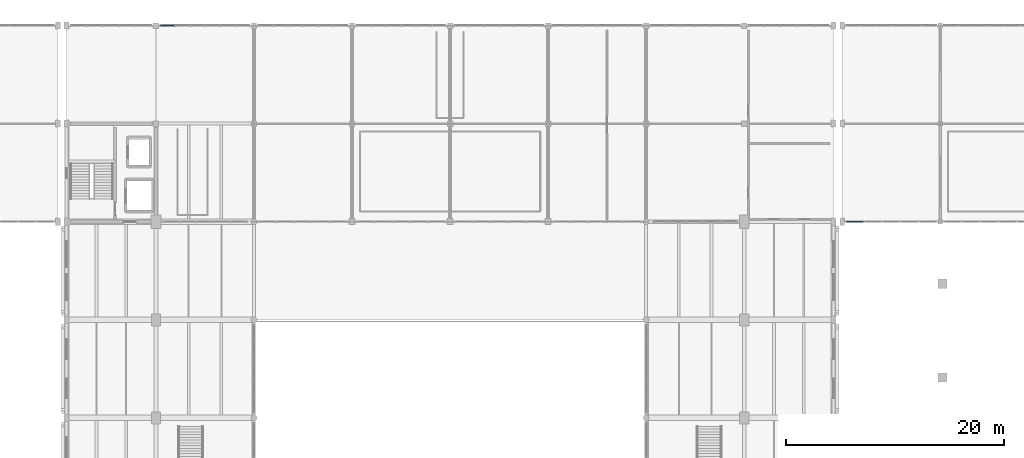
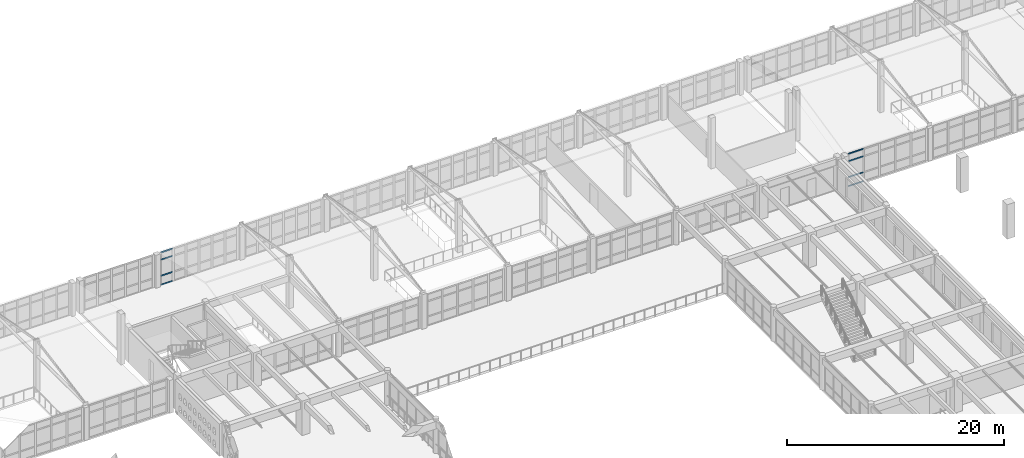
# One storey, part 68 of 156: 8 members, 2 elements without a shape of their own.
"""IFC4 building model written with IfcOpenShell, lengths in metres."""

from ifc_helpers import new_model, si_unit, direction, frame, origin, origin_2d, place, context, subcontext, project, spatial, hollow_rectangle, extrude, material, layer, layer_set, material_profile, profile_set, type_object, element, aggregate, save


model = new_model("IFC4")

# Units and contexts
model_context = context("Model", 3, precision=1e-05, world=origin(), true_north=direction((0.0, 1.0)))
body_context = subcontext(model_context, "Body", "Model", "MODEL_VIEW")
ifc_project = project(units=[si_unit("LENGTHUNIT", "METRE"), si_unit("AREAUNIT", "SQUARE_METRE"), si_unit("VOLUMEUNIT", "CUBIC_METRE"), si_unit("PLANEANGLEUNIT", "RADIAN"), si_unit("MASSUNIT", "GRAM", prefix="KILO")], contexts=[model_context])

# Site, building, storey
site_placement = place(None, origin())
site = spatial("IfcSite", under=ifc_project, at=site_placement, CompositionType="ELEMENT")
building_placement = place(site_placement, origin())
building = spatial("IfcBuilding", under=site, at=building_placement, Name="Ornek Quay Market", CompositionType="ELEMENT")
storey_placement = place(building_placement, frame((0.0, 0.0, 4.5)))
storey = spatial("IfcBuildingStorey", under=building, at=storey_placement, Name="L01", CompositionType="ELEMENT", Elevation=4.5)

# Curtain wall, members
ifc_material_1 = material(Name="Anodised bronze aluminium and triple low-e glass", Category="aluminium")
ifc_layer_1 = layer(ifc_material_1, 0.199951171875, Name="Anodised bronze aluminium and triple low-e glass", Category="aluminium")
ifc_layer_set_1 = layer_set([ifc_layer_1], Name="Anodised bronze aluminium and triple low-e glass")
curtain_wall_type_1 = type_object("IfcCurtainWallType", Name="CW-CONC-MOD1800", PredefinedType="USERDEFINED", material=ifc_layer_set_1)
curtain_wall_1_placement = place(storey_placement, origin())
curtain_wall_1 = element("IfcCurtainWall", 1, at=curtain_wall_1_placement, inside=storey, type_object=curtain_wall_type_1, Name="Curtain wall CW-034", ObjectType="CURTAIN WALL", PredefinedType="USERDEFINED")
ifc_material_2 = material(Name="Anodised aluminium 6063-T6", Category="aluminium")
ifc_material_profile_1 = material_profile(ifc_material_2, hollow_rectangle(XDim=0.06494140625, YDim=0.139892578125, WallThickness=0.00439453125, at=origin_2d()), Name="CW-TRN-65x140", Category="aluminium")
ifc_profile_set_1 = profile_set([ifc_material_profile_1], Name="Anodised aluminium 6063-T6")
member_type_1 = type_object("IfcMemberType", Name="CW-TRN-65x140", PredefinedType="USERDEFINED", material=ifc_profile_set_1)
member_1_placement = place(storey_placement, frame((126.364990234375, 92.0, 0.032470703125), z_axis=(1.0, 0.0, 0.0), x_axis=(0.0, 1.0, 0.0)))
member_1 = element("IfcMember", 2, at=member_1_placement, type_object=member_type_1, Name="CW-034 transom 1.1", ObjectType="TRANSOM", PredefinedType="USERDEFINED", context=body_context, shape_type="SweptSolid", body=[
    extrude(hollow_rectangle(XDim=0.06494140625, YDim=0.139892578125, WallThickness=0.00439453125, at=origin_2d()), origin(), (0.0, 0.0, 1.0), 1.58251953125),
])
member_2_placement = place(storey_placement, frame((126.364990234375, 92.0, 1.050048828125), z_axis=(1.0, 0.0, 0.0), x_axis=(0.0, 1.0, 0.0)))
member_2 = element("IfcMember", 3, at=member_2_placement, type_object=member_type_1, Name="CW-034 transom 1.2", ObjectType="TRANSOM", PredefinedType="USERDEFINED", context=body_context, shape_type="SweptSolid", body=[
    extrude(hollow_rectangle(XDim=0.06494140625, YDim=0.139892578125, WallThickness=0.00439453125, at=origin_2d()), origin(), (0.0, 0.0, 1.0), 1.58251953125),
])
member_3_placement = place(storey_placement, frame((126.364990234375, 92.0, 2.860107421875), z_axis=(1.0, 0.0, 0.0), x_axis=(0.0, 1.0, 0.0)))
member_3 = element("IfcMember", 4, at=member_3_placement, type_object=member_type_1, Name="CW-034 transom 1.3", ObjectType="TRANSOM", PredefinedType="USERDEFINED", context=body_context, shape_type="SweptSolid", body=[
    extrude(hollow_rectangle(XDim=0.06494140625, YDim=0.139892578125, WallThickness=0.00439453125, at=origin_2d()), origin(), (0.0, 0.0, 1.0), 1.58251953125),
])
member_4_placement = place(storey_placement, frame((126.364990234375, 92.0, 3.677490234375), z_axis=(1.0, 0.0, 0.0), x_axis=(0.0, 1.0, 0.0)))
member_4 = element("IfcMember", 5, at=member_4_placement, type_object=member_type_1, Name="CW-034 transom 1.4", ObjectType="TRANSOM", PredefinedType="USERDEFINED", context=body_context, shape_type="SweptSolid", body=[
    extrude(hollow_rectangle(XDim=0.06494140625, YDim=0.139892578125, WallThickness=0.00439453125, at=origin_2d()), origin(), (0.0, 0.0, 1.0), 1.58251953125),
])
aggregate(curtain_wall_1, [member_1, member_2, member_3, member_4])

ifc_layer_2 = layer(ifc_material_1, 0.219970703125, Name="Anodised bronze aluminium and triple low-e glass", Category="aluminium")
ifc_layer_set_2 = layer_set([ifc_layer_2], Name="Anodised bronze aluminium and triple low-e glass")
curtain_wall_type_2 = type_object("IfcCurtainWallType", Name="CW-PORCH-MOD1500", PredefinedType="USERDEFINED", material=ifc_layer_set_2)
curtain_wall_2_placement = place(storey_placement, origin())
curtain_wall_2 = element("IfcCurtainWall", 6, at=curtain_wall_2_placement, inside=storey, type_object=curtain_wall_type_2, Name="Curtain wall CW-050", ObjectType="CURTAIN WALL", PredefinedType="USERDEFINED")
ifc_material_profile_2 = material_profile(ifc_material_2, hollow_rectangle(XDim=0.070068359375, YDim=0.14990234375, WallThickness=0.0048828125, at=origin_2d()), Name="CW-TRN-70x150", Category="aluminium")
ifc_profile_set_2 = profile_set([ifc_material_profile_2], Name="Anodised aluminium 6063-T6")
member_type_2 = type_object("IfcMemberType", Name="CW-TRN-70x150", PredefinedType="USERDEFINED", material=ifc_profile_set_2)
member_5_placement = place(storey_placement, frame((63.425048828125, 110.0, 0.034912109375), z_axis=(1.0, 0.0, 0.0), x_axis=(0.0, 1.0, 0.0)))
member_5 = element("IfcMember", 7, at=member_5_placement, type_object=member_type_2, Name="CW-050 transom 1.1", ObjectType="TRANSOM", PredefinedType="USERDEFINED", context=body_context, shape_type="SweptSolid", body=[
    extrude(hollow_rectangle(XDim=0.070068359375, YDim=0.14990234375, WallThickness=0.0048828125, at=origin_2d()), origin(), (0.0, 0.0, 1.0), 1.270751953125),
])
member_6_placement = place(storey_placement, frame((63.425048828125, 110.0, 1.050048828125), z_axis=(1.0, 0.0, 0.0), x_axis=(0.0, 1.0, 0.0)))
member_6 = element("IfcMember", 8, at=member_6_placement, type_object=member_type_2, Name="CW-050 transom 1.2", ObjectType="TRANSOM", PredefinedType="USERDEFINED", context=body_context, shape_type="SweptSolid", body=[
    extrude(hollow_rectangle(XDim=0.070068359375, YDim=0.14990234375, WallThickness=0.0048828125, at=origin_2d()), origin(), (0.0, 0.0, 1.0), 1.270751953125),
])
member_7_placement = place(storey_placement, frame((63.425048828125, 110.0, 2.860107421875), z_axis=(1.0, 0.0, 0.0), x_axis=(0.0, 1.0, 0.0)))
member_7 = element("IfcMember", 9, at=member_7_placement, type_object=member_type_2, Name="CW-050 transom 1.3", ObjectType="TRANSOM", PredefinedType="USERDEFINED", context=body_context, shape_type="SweptSolid", body=[
    extrude(hollow_rectangle(XDim=0.070068359375, YDim=0.14990234375, WallThickness=0.0048828125, at=origin_2d()), origin(), (0.0, 0.0, 1.0), 1.270751953125),
])
member_8_placement = place(storey_placement, frame((63.425048828125, 110.0, 3.675048828125), z_axis=(1.0, 0.0, 0.0), x_axis=(0.0, 1.0, 0.0)))
member_8 = element("IfcMember", 10, at=member_8_placement, type_object=member_type_2, Name="CW-050 transom 1.4", ObjectType="TRANSOM", PredefinedType="USERDEFINED", context=body_context, shape_type="SweptSolid", body=[
    extrude(hollow_rectangle(XDim=0.070068359375, YDim=0.14990234375, WallThickness=0.0048828125, at=origin_2d()), origin(), (0.0, 0.0, 1.0), 1.270751953125),
])
aggregate(curtain_wall_2, [member_5, member_6, member_7, member_8])

save(model, "model.ifc")
